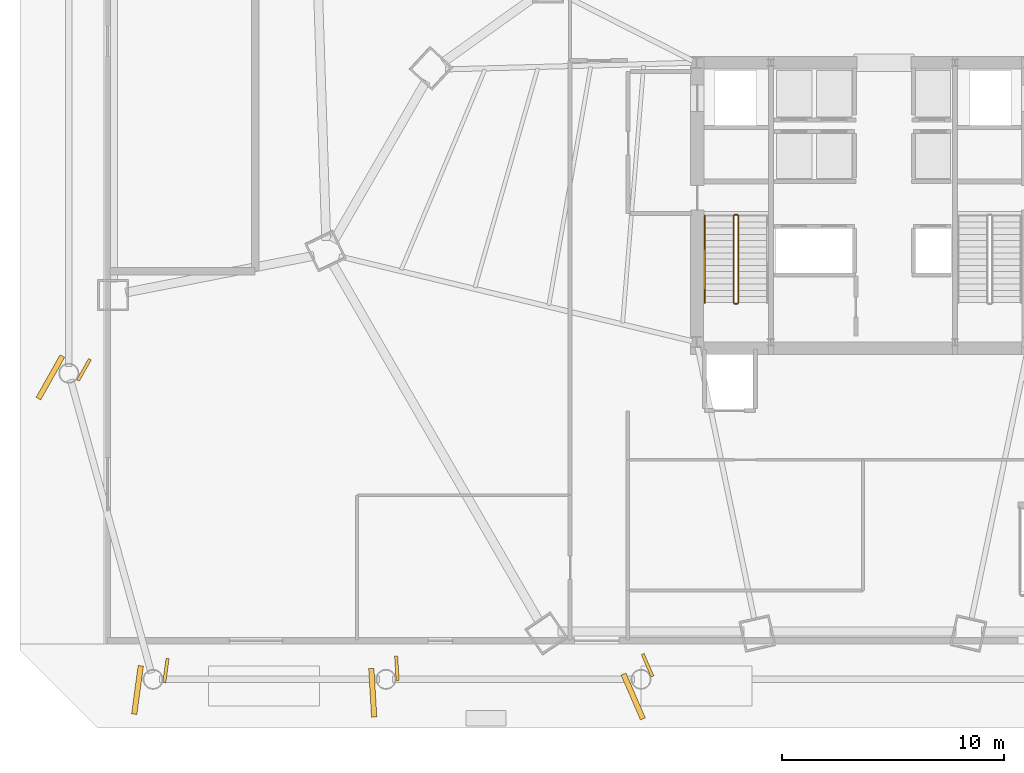
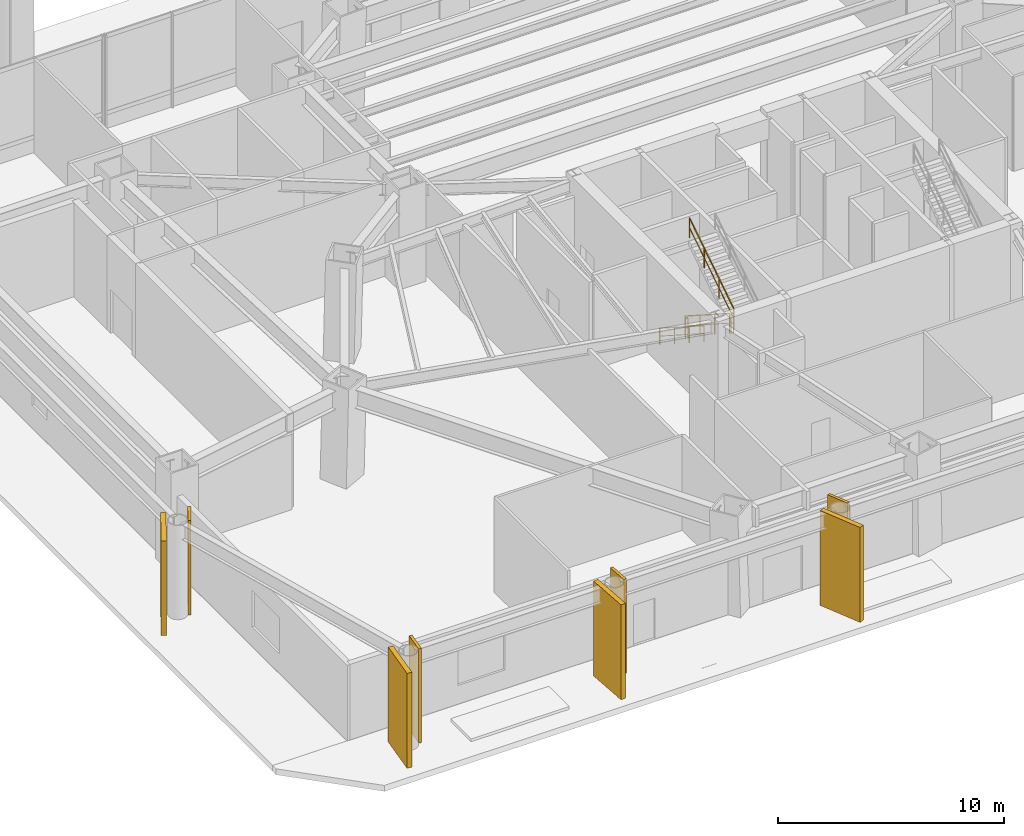
# One storey, part 15 of 19: 5 railings, 4 coverings, 4 shading devices.
"""IFC4 building model written with IfcOpenShell, lengths in metres."""

import ifcopenshell
import ifcopenshell.guid

model = None  # the IFC model being written
_history = None  # IfcOwnerHistory: only IFC2X3 demands one
_inside = {}  # id of a spatial element -> (the spatial element, [elements in it])
_under = {}  # id of a project, library or spatial element -> (it, [spatial elements below it])
_declared = {}  # id of a project -> (the project, [libraries it declares])
_typed = {}  # id of a type object -> (the type object, [elements of that type])
_made_of = {}  # id of a material, layer set ... -> (it, [elements and type objects made of it])


def new_model(schema):
    """Start an empty IFC model of exactly this schema.

    Asked for "IFC4X3", IfcOpenShell would pick the latest addendum, in which some entities
    have other attributes; the version numbers below select the first issue.
    IFC2X3 requires an IfcOwnerHistory on every rooted entity: one is made here for all.
    """
    global model, _history
    if schema == "IFC4X3":
        model = ifcopenshell.file(schema_version=(4, 3, 0, 0))
    else:
        model = ifcopenshell.file(schema=schema)
    _inside.clear()
    _under.clear()
    _declared.clear()
    _typed.clear()
    _made_of.clear()
    _history = None
    if model.schema == "IFC2X3":
        org = make("IfcOrganization", Name="unknown")
        user = make(
            "IfcPersonAndOrganization",
            ThePerson=make("IfcPerson", FamilyName="unknown"),
            TheOrganization=org,
        )
        app = make(
            "IfcApplication",
            ApplicationDeveloper=org,
            Version="unknown",
            ApplicationFullName="unknown",
            ApplicationIdentifier="unknown",
        )
        _history = make(
            "IfcOwnerHistory",
            OwningUser=user,
            OwningApplication=app,
            ChangeAction="ADDED",
            CreationDate=0,
        )
    return model


def make(cls, **values):
    """One entity of the class cls with the attributes given. An attribute that is None is left unset."""
    return model.create_entity(
        cls, **{name: value for name, value in values.items() if value is not None}
    )


def rooted(cls, **values):
    """An entity with a GlobalId (a new one), such as an element, a storey or a relation."""
    return make(cls, GlobalId=ifcopenshell.guid.new(), OwnerHistory=_history, **values)


def si_unit(unit_type, name, prefix=None):
    """IfcSIUnit, for example si_unit("LENGTHUNIT", "METRE", prefix="MILLI")."""
    return make("IfcSIUnit", UnitType=unit_type, Prefix=prefix, Name=name)


def assignment(units):
    """IfcUnitAssignment: the units of a project."""
    return None if units is None else make("IfcUnitAssignment", Units=units)


def point(xyz):
    """IfcCartesianPoint."""
    return None if xyz is None else make("IfcCartesianPoint", Coordinates=xyz)


def direction(xyz):
    """IfcDirection."""
    return None if xyz is None else make("IfcDirection", DirectionRatios=xyz)


def frame(location, z_axis=None, x_axis=None):
    """IfcAxis2Placement3D, a coordinate frame: its origin and axes. An axis left out is left unset."""
    return make(
        "IfcAxis2Placement3D",
        Location=point(location),
        Axis=direction(z_axis),
        RefDirection=direction(x_axis),
    )


def frame_2d(location, x_axis=None):
    """IfcAxis2Placement2D, a coordinate frame in the plane: its origin and x axis."""
    return make(
        "IfcAxis2Placement2D", Location=point(location), RefDirection=direction(x_axis)
    )


def origin():
    """The frame at (0, 0, 0) with its axes left unset."""
    return frame((0.0, 0.0, 0.0))


def origin_2d():
    """The frame at (0, 0) in the plane with its x axis left unset."""
    return frame_2d((0.0, 0.0))


def place(relative_to, where):
    """IfcLocalPlacement: puts the frame where relative to a parent placement (None: the world)."""
    return make(
        "IfcLocalPlacement", PlacementRelTo=relative_to, RelativePlacement=where
    )


def context(
    kind, dimensions, precision=None, world=None, true_north=None, identifier=None
):
    """IfcGeometricRepresentationContext, for example the 3D "Model" context."""
    return make(
        "IfcGeometricRepresentationContext",
        ContextIdentifier=identifier,
        ContextType=kind,
        CoordinateSpaceDimension=dimensions,
        Precision=precision,
        WorldCoordinateSystem=world,
        TrueNorth=true_north,
    )


def subcontext(parent, identifier, kind, view, scale=None):
    """IfcGeometricRepresentationSubContext, for example "Body" below "Model"."""
    return make(
        "IfcGeometricRepresentationSubContext",
        ContextIdentifier=identifier,
        ContextType=kind,
        ParentContext=parent,
        TargetScale=scale,
        TargetView=view,
    )


def project(units=None, contexts=None):
    """IfcProject with its units and contexts."""
    return rooted(
        "IfcProject",
        Name="project",
        RepresentationContexts=contexts,
        UnitsInContext=assignment(units),
    )


def spatial(cls, under=None, at=None, **own):
    """A site, building, storey or space (cls), placed at a placement, below another one or the project."""
    s = rooted(cls, ObjectPlacement=at, **own)
    if under is not None:
        _under.setdefault(under.id(), (under, []))[1].append(s)
    return s


def profile(cls, at=None, kind="AREA", **sizes):
    """A parametric profile (cls). Its sizes go by their IFC names, for example OverallWidth=200.0."""
    return make(cls, ProfileType=kind, Position=at, **sizes)


def rectangle(**sizes):
    """IfcRectangleProfileDef."""
    return profile("IfcRectangleProfileDef", **sizes)


def extrude(swept, where, along, depth):
    """IfcExtrudedAreaSolid: the profile swept, set in the frame where, extruded along a direction by depth."""
    return make(
        "IfcExtrudedAreaSolid",
        SweptArea=swept,
        Position=where,
        ExtrudedDirection=direction(along),
        Depth=depth,
    )


def shape(context_of_items, identifier, shape_type, items):
    """IfcShapeRepresentation: the items that make up one representation, for example the "Body"."""
    return make(
        "IfcShapeRepresentation",
        ContextOfItems=context_of_items,
        RepresentationIdentifier=identifier,
        RepresentationType=shape_type,
        Items=items,
    )


def source(mapping_origin, context_of_items, identifier, shape_type, items):
    """IfcRepresentationMap: a shape defined once, which mapped items show again and again."""
    return make(
        "IfcRepresentationMap",
        MappingOrigin=mapping_origin,
        MappedRepresentation=shape(context_of_items, identifier, shape_type, items),
    )


def transform(
    local_origin,
    x_axis=None,
    y_axis=None,
    z_axis=None,
    scale=None,
    scale2=None,
    scale3=None,
    uniform=True,
):
    """IfcCartesianTransformationOperator3D, or its non-uniform kind. x_axis, y_axis, z_axis: its Axis1, 2, 3."""
    if uniform:
        return make(
            "IfcCartesianTransformationOperator3D",
            Axis1=direction(x_axis),
            Axis2=direction(y_axis),
            LocalOrigin=point(local_origin),
            Scale=scale,
            Axis3=direction(z_axis),
        )
    return make(
        "IfcCartesianTransformationOperator3DnonUniform",
        Axis1=direction(x_axis),
        Axis2=direction(y_axis),
        LocalOrigin=point(local_origin),
        Scale=scale,
        Axis3=direction(z_axis),
        Scale2=scale2,
        Scale3=scale3,
    )


def mapped(mapping_source, mapping_target):
    """IfcMappedItem: shows the shape of a source again, moved by a transform."""
    return make(
        "IfcMappedItem", MappingSource=mapping_source, MappingTarget=mapping_target
    )


def material(Name=None, Category=None):
    """IfcMaterial."""
    return make("IfcMaterial", Name=Name, Category=Category)


def layer(
    of_material, thickness, ventilated=None, Name=None, Category=None, Priority=None
):
    """IfcMaterialLayer: one layer of a wall or slab, of a material (None: an air gap)."""
    return make(
        "IfcMaterialLayer",
        Material=of_material,
        LayerThickness=thickness,
        IsVentilated=ventilated,
        Name=Name,
        Category=Category,
        Priority=Priority,
    )


def layer_set(layers, Name=None):
    """IfcMaterialLayerSet."""
    return make("IfcMaterialLayerSet", MaterialLayers=layers, LayerSetName=Name)


def made_of(thing, what):
    """Note that an element or type object is made of a material, layer set ...; save() writes the relation."""
    if what is not None:
        _made_of.setdefault(what.id(), (what, []))[1].append(thing)
    return thing


def type_object(cls, material=None, **own):
    """A type object (cls), such as IfcWallType, which elements share."""
    return made_of(rooted(cls, **own), material)


def type_shapes(of_type, sources):
    """Give a type object the sources (RepresentationMaps) that its elements show as mapped items."""
    of_type.RepresentationMaps = sources


def element(
    cls,
    number,
    at=None,
    inside=None,
    cuts=None,
    type_object=None,
    material=None,
    context=None,
    identifier="Body",
    shape_type=None,
    held_by="IfcProductDefinitionShape",
    body=None,
    shapes=None,
    **own,
):
    """One element of the class cls, such as IfcWall. Its Tag is "e" and its number.

    at: its placement. inside: the storey or other place that contains it. cuts: it is an
    opening in that element (IfcRelVoidsElement). A single representation is given by context,
    identifier, shape_type and body (its items); several are given by shapes. held_by: the class
    of the entity that holds the representations. save() writes the other relations.
    """
    e = rooted(cls, Tag="e%d" % number, ObjectPlacement=at, **own)
    if body is not None:
        shapes = [shape(context, identifier, shape_type, body)]
    if shapes is not None:
        e.Representation = make(held_by, Representations=shapes)
    if inside is not None:
        _inside.setdefault(inside.id(), (inside, []))[1].append(e)
    if cuts is not None:
        rooted(
            "IfcRelVoidsElement", RelatingBuildingElement=cuts, RelatedOpeningElement=e
        )
    if type_object is not None:
        _typed.setdefault(type_object.id(), (type_object, []))[1].append(e)
    return made_of(e, material)


def aggregate(whole, parts):
    """IfcRelAggregates: a whole, such as a stair, and the parts it consists of."""
    return rooted("IfcRelAggregates", RelatingObject=whole, RelatedObjects=parts)


def save(model, path):
    """Write the relations noted so far, then the file.

    IfcRelAggregates (storeys below a building ...), IfcRelContainedInSpatialStructure (elements
    in a storey), IfcRelDefinesByType, IfcRelAssociatesMaterial and IfcRelDeclares: one each for
    every whole, place, type object, material and project.
    """
    for whole, parts in _under.values():
        aggregate(whole, parts)
    for where, things in _inside.values():
        rooted(
            "IfcRelContainedInSpatialStructure",
            RelatedElements=things,
            RelatingStructure=where,
        )
    for kind, things in _typed.values():
        rooted("IfcRelDefinesByType", RelatedObjects=things, RelatingType=kind)
    for what, things in _made_of.values():
        rooted("IfcRelAssociatesMaterial", RelatedObjects=things, RelatingMaterial=what)
    for by, libraries in _declared.values():
        rooted("IfcRelDeclares", RelatingContext=by, RelatedDefinitions=libraries)
    model.write(path)


model = new_model("IFC4")

# Units and contexts
model_context = context("Model", 3, precision=1e-05, world=origin(), true_north=direction((0.0, 1.0)))
body_context = subcontext(model_context, "Body", "Model", "MODEL_VIEW")
ifc_project = project(units=[si_unit("LENGTHUNIT", "METRE"), si_unit("AREAUNIT", "SQUARE_METRE"), si_unit("VOLUMEUNIT", "CUBIC_METRE"), si_unit("PLANEANGLEUNIT", "RADIAN"), si_unit("MASSUNIT", "GRAM", prefix="KILO")], contexts=[model_context])

# Site, building, storey
site_placement = place(None, origin())
site = spatial("IfcSite", under=ifc_project, at=site_placement, CompositionType="ELEMENT")
building_placement = place(site_placement, origin())
building = spatial("IfcBuilding", under=site, at=building_placement, Name="Caelisora Broadcast Tower", CompositionType="ELEMENT")
storey_placement = place(building_placement, origin())
storey = spatial("IfcBuildingStorey", under=building, at=storey_placement, Name="L00", CompositionType="ELEMENT", Elevation=0.0)

# Railings
ifc_material_1 = material(Name="Galvanised Steel Safety Guardrail", Category="steel")
ifc_layer_1 = layer(ifc_material_1, 0.048095703125, Name="Galvanised Steel Safety Guardrail")
ifc_layer_set_1 = layer_set([ifc_layer_1], Name="Galvanised Steel Safety Guardrail")
railing_type_1 = type_object("IfcRailingType", Name="GR-1", PredefinedType="GUARDRAIL", material=ifc_layer_set_1)
railing_1_placement = place(storey_placement, frame((32.169921875, 23.10009765625, 0.179931640625)))
element("IfcRailing", 1, at=railing_1_placement, inside=storey, type_object=railing_type_1, Name="L00 ST-1 stair guard 1", PredefinedType="GUARDRAIL", context=body_context, shape_type="SweptSolid", body=[
    extrude(rectangle(XDim=0.048095703125, YDim=0.048095703125, at=origin_2d()), frame((0.0, 0.0, 1.076171875), z_axis=(0.0, -0.841186985886, 0.540744352514), x_axis=(1.0, 0.0, 0.0)), (0.0, 0.0, 1.0), 4.660400390625),
    extrude(rectangle(XDim=0.03125, YDim=0.03125, at=origin_2d()), frame((0.0, 0.0, 0.550048828125), z_axis=(0.0, -0.841186985886, 0.540744352514), x_axis=(1.0, 0.0, 0.0)), (0.0, 0.0, 1.0), 4.660400390625),
    extrude(rectangle(XDim=0.0419921875, YDim=0.0419921875, at=origin_2d()), origin(), (0.0, 0.0, 1.0), 1.052001953125),
    extrude(rectangle(XDim=0.0419921875, YDim=0.0419921875, at=origin_2d()), frame((0.0, -1.306640625, 0.840087890625)), (0.0, 0.0, 1.0), 1.052001953125),
    extrude(rectangle(XDim=0.0419921875, YDim=0.0419921875, at=origin_2d()), frame((0.0, -2.613525390625, 1.679931640625)), (0.0, 0.0, 1.0), 1.052001953125),
    extrude(rectangle(XDim=0.0419921875, YDim=0.0419921875, at=origin_2d()), frame((0.0, -3.920166015625, 2.52001953125)), (0.0, 0.0, 1.0), 1.052001953125),
])
railing_2_placement = place(storey_placement, frame((32.219970703125, 19.1298828125, 2.699951171875)))
element("IfcRailing", 2, at=railing_2_placement, inside=storey, type_object=railing_type_1, Name="L00 ST-1 stair guard 2", PredefinedType="GUARDRAIL", context=body_context, shape_type="SweptSolid", body=[
    extrude(rectangle(XDim=0.048095703125, YDim=0.048095703125, at=origin_2d()), frame((0.0, 0.0, 1.076171875), z_axis=(1.0, 0.0, 0.0), x_axis=(0.0, 1.0, 0.0)), (0.0, 0.0, 1.0), 0.1201171875),
    extrude(rectangle(XDim=0.03125, YDim=0.03125, at=origin_2d()), frame((0.0, 0.0, 0.550048828125), z_axis=(1.0, 0.0, 0.0), x_axis=(0.0, 1.0, 0.0)), (0.0, 0.0, 1.0), 0.1201171875),
    extrude(rectangle(XDim=0.0419921875, YDim=0.0419921875, at=origin_2d()), origin(), (0.0, 0.0, 1.0), 1.052001953125),
    extrude(rectangle(XDim=0.0419921875, YDim=0.0419921875, at=origin_2d()), frame((0.1201171875, 0.0, 0.0)), (0.0, 0.0, 1.0), 1.052001953125),
])
railing_3_placement = place(storey_placement, frame((32.389892578125, 19.179931640625, 2.8798828125)))
element("IfcRailing", 3, at=railing_3_placement, inside=storey, type_object=railing_type_1, Name="L00 ST-1 stair guard 3", PredefinedType="GUARDRAIL", context=body_context, shape_type="SweptSolid", body=[
    extrude(rectangle(XDim=0.048095703125, YDim=0.048095703125, at=origin_2d()), frame((0.0, 0.0, 1.076171875), z_axis=(0.0, 0.841186985886, 0.540744352514), x_axis=(-1.0, 0.0, 0.0)), (0.0, 0.0, 1.0), 4.660400390625),
    extrude(rectangle(XDim=0.03125, YDim=0.03125, at=origin_2d()), frame((0.0, 0.0, 0.550048828125), z_axis=(0.0, 0.841186985886, 0.540744352514), x_axis=(-1.0, 0.0, 0.0)), (0.0, 0.0, 1.0), 4.660400390625),
    extrude(rectangle(XDim=0.0419921875, YDim=0.0419921875, at=origin_2d()), origin(), (0.0, 0.0, 1.0), 1.052001953125),
    extrude(rectangle(XDim=0.0419921875, YDim=0.0419921875, at=origin_2d()), frame((0.0, 1.306640625, 0.840087890625)), (0.0, 0.0, 1.0), 1.052001953125),
    extrude(rectangle(XDim=0.0419921875, YDim=0.0419921875, at=origin_2d()), frame((0.0, 2.613525390625, 1.679931640625)), (0.0, 0.0, 1.0), 1.052001953125),
    extrude(rectangle(XDim=0.0419921875, YDim=0.0419921875, at=origin_2d()), frame((0.0, 3.920166015625, 2.52001953125)), (0.0, 0.0, 1.0), 1.052001953125),
])
railing_4_placement = place(storey_placement, frame((32.219970703125, 23.14990234375, 0.0)))
element("IfcRailing", 4, at=railing_4_placement, inside=storey, type_object=railing_type_1, Name="L00 ST-1 stair guard 4", PredefinedType="GUARDRAIL", context=body_context, shape_type="SweptSolid", body=[
    extrude(rectangle(XDim=0.048095703125, YDim=0.048095703125, at=origin_2d()), frame((0.0, 0.0, 1.076171875), z_axis=(1.0, 0.0, 0.0), x_axis=(0.0, 1.0, 0.0)), (0.0, 0.0, 1.0), 0.1201171875),
    extrude(rectangle(XDim=0.03125, YDim=0.03125, at=origin_2d()), frame((0.0, 0.0, 0.550048828125), z_axis=(1.0, 0.0, 0.0), x_axis=(0.0, 1.0, 0.0)), (0.0, 0.0, 1.0), 0.1201171875),
    extrude(rectangle(XDim=0.0419921875, YDim=0.0419921875, at=origin_2d()), origin(), (0.0, 0.0, 1.0), 1.052001953125),
    extrude(rectangle(XDim=0.0419921875, YDim=0.0419921875, at=origin_2d()), frame((0.1201171875, 0.0, 0.0)), (0.0, 0.0, 1.0), 1.052001953125),
])
ifc_material_2 = material(Name="Stainless Steel Grade 316 Tubular Handrail", Category="steel")
ifc_layer_2 = layer(ifc_material_2, 0.048095703125, Name="Stainless Steel Grade 316 Tubular Handrail")
ifc_layer_set_2 = layer_set([ifc_layer_2], Name="Stainless Steel Grade 316 Tubular Handrail")
railing_type_2 = type_object("IfcRailingType", Name="HR-1", PredefinedType="HANDRAIL", material=ifc_layer_set_2)
railing_5_placement = place(storey_placement, frame((30.8701171875, 23.10009765625, 0.179931640625)))
element("IfcRailing", 5, at=railing_5_placement, inside=storey, type_object=railing_type_2, Name="L00 ST-1 stair handrail 1", PredefinedType="HANDRAIL", context=body_context, shape_type="SweptSolid", body=[
    extrude(rectangle(XDim=0.048095703125, YDim=0.048095703125, at=origin_2d()), frame((0.0, 0.0, 0.8759765625), z_axis=(0.0, -0.841186985886, 0.540744352514), x_axis=(1.0, 0.0, 0.0)), (0.0, 0.0, 1.0), 4.660400390625),
    extrude(rectangle(XDim=0.03125, YDim=0.03125, at=origin_2d()), frame((0.0, 0.0, 0.449951171875), z_axis=(0.0, -0.841186985886, 0.540744352514), x_axis=(1.0, 0.0, 0.0)), (0.0, 0.0, 1.0), 4.660400390625),
    extrude(rectangle(XDim=0.0419921875, YDim=0.0419921875, at=origin_2d()), origin(), (0.0, 0.0, 1.0), 0.851806640625),
    extrude(rectangle(XDim=0.0419921875, YDim=0.0419921875, at=origin_2d()), frame((0.0, -1.306640625, 0.840087890625)), (0.0, 0.0, 1.0), 0.851806640625),
    extrude(rectangle(XDim=0.0419921875, YDim=0.0419921875, at=origin_2d()), frame((0.0, -2.613525390625, 1.679931640625)), (0.0, 0.0, 1.0), 0.851806640625),
    extrude(rectangle(XDim=0.0419921875, YDim=0.0419921875, at=origin_2d()), frame((0.0, -3.920166015625, 2.52001953125)), (0.0, 0.0, 1.0), 0.851806640625),
])

# Shading devices
ifc_material_3 = material(Name="Extruded Terracotta Flaring Colonnade Fin", Category="ceramic")
ifc_layer_3 = layer(ifc_material_3, 0.139892578125, Name="Extruded Terracotta Flaring Colonnade Fin")
ifc_layer_set_3 = layer_set([ifc_layer_3], Name="Extruded Terracotta Flaring Colonnade Fin")
shading_device_type = type_object("IfcShadingDeviceType", Name="FN-1", PredefinedType="USERDEFINED", material=ifc_layer_set_3)
shared_shape_1 = source(origin(), body_context, "Body", "SweptSolid", [
    extrude(rectangle(XDim=1.10009765625, YDim=0.139892578125, at=origin_2d()), origin(), (0.0, 0.0, 1.0), 5.080078125),
])
type_shapes(shading_device_type, [shared_shape_1])
for number, where, z_axis, x_axis, name in (
    (6, (6.57861328125, 2.593994140625, 0.0), (0.0, 0.0, 1.0), (-0.134677989497, -0.990889418222, 0.0), "L00 flaring terracotta colonnade fin #01"),
    (7, (16.991455078125, 2.698486328125, 0.0), (0.0, 0.0, 1.0), (0.059306373576, -0.998239827924, 0.0), "L00 flaring terracotta colonnade fin #02"),
    (8, (28.2919921875, 2.836181640625, 0.0), (0.0, 0.0, 1.0), (0.396507080307, -0.918031663543, 0.0), "L00 flaring terracotta colonnade fin #03"),
    (9, (2.88330078125, 16.152587890625, 0.0), (0.0, 0.0, 1.0), (-0.490903753615, -0.87121381112, 0.0), "L00 flaring terracotta colonnade fin #13"),
):
    element("IfcShadingDevice", number, at=place(storey_placement, frame(where, z_axis=z_axis, x_axis=x_axis)), inside=storey, type_object=shading_device_type, Name=name, ObjectType="FIN", PredefinedType="USERDEFINED", context=body_context, shape_type="MappedRepresentation", body=[
        mapped(shared_shape_1, transform((0.0, 0.0, 0.0), scale=1.0)),
    ])

# Coverings
ifc_material_4 = material(Name="Kiln-Fired Terracotta Spandrel Rainscreen Cladding", Category="ceramic")
ifc_layer_4 = layer(ifc_material_4, 0.044921875, Name="Kiln-Fired Terracotta Spandrel Rainscreen Cladding")
ifc_layer_set_4 = layer_set([ifc_layer_4], Name="Kiln-Fired Terracotta Spandrel Rainscreen Cladding")
covering_type = type_object("IfcCoveringType", Name="CL-1", PredefinedType="CLADDING", material=ifc_layer_set_4)
shared_shape_2 = source(origin(), body_context, "Body", "SweptSolid", [
    extrude(rectangle(XDim=2.199951171875, YDim=0.239990234375, at=origin_2d()), origin(), (0.0, 0.0, 1.0), 5.1201171875),
])
type_shapes(covering_type, [shared_shape_2])
for number, where, z_axis, x_axis, name in (
    (10, (5.297607421875, 1.721435546875, -0.010009765625), (0.0, 0.0, 1.0), (-0.134677989497, -0.990889418222, 0.0), "L00 flaring root-fin cladding #01"),
    (11, (15.903076171875, 1.5947265625, -0.010009765625), (0.0, 0.0, 1.0), (0.059306373576, -0.998239827924, 0.0), "L00 flaring root-fin cladding #02"),
    (12, (27.6455078125, 1.427490234375, -0.010009765625), (0.0, 0.0, 1.0), (0.396507080307, -0.918031663543, 0.0), "L00 flaring root-fin cladding #03"),
    (13, (1.37060546875, 15.814697265625, -0.010009765625), (0.0, 0.0, 1.0), (-0.490903753615, -0.87121381112, 0.0), "L00 flaring root-fin cladding #13"),
):
    element("IfcCovering", number, at=place(storey_placement, frame(where, z_axis=z_axis, x_axis=x_axis)), inside=storey, type_object=covering_type, Name=name, PredefinedType="CLADDING", context=body_context, shape_type="MappedRepresentation", body=[
        mapped(shared_shape_2, transform((0.0, 0.0, 0.0), scale=1.0)),
    ])

save(model, "model.ifc")
